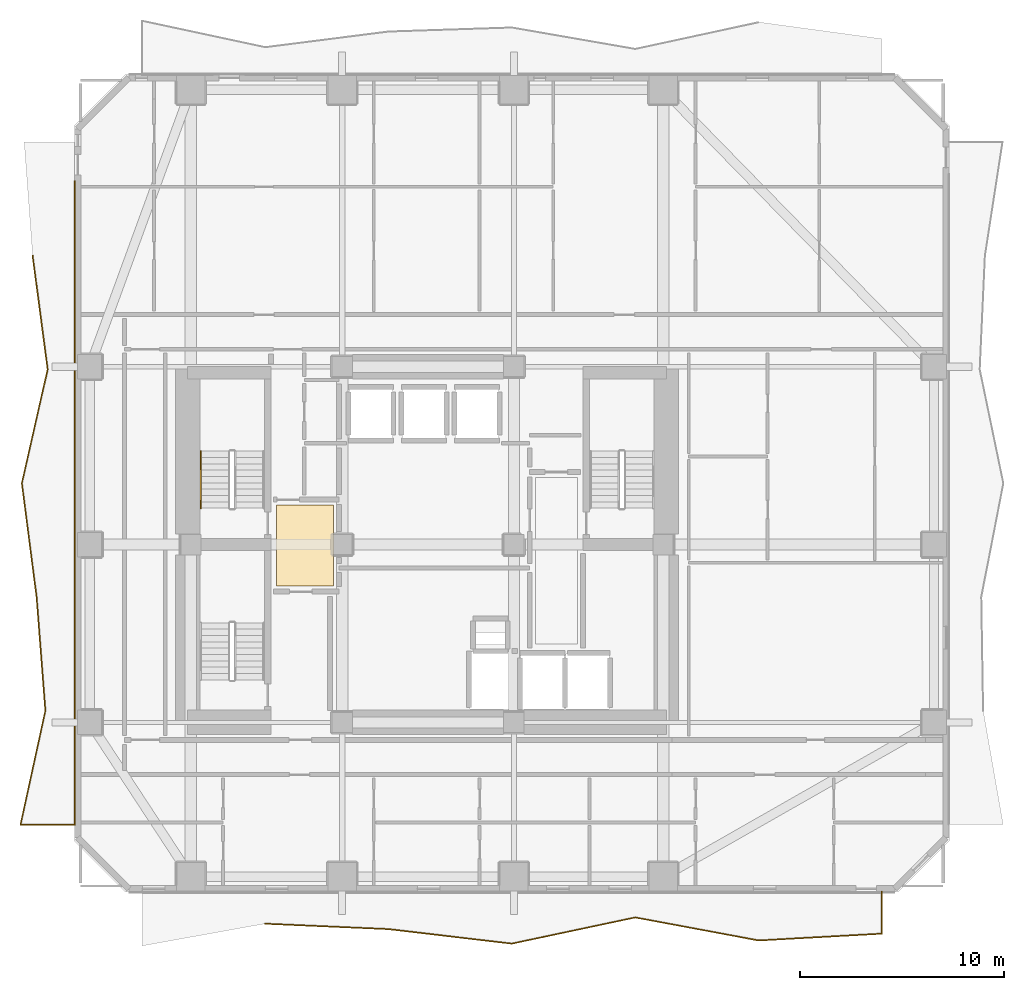
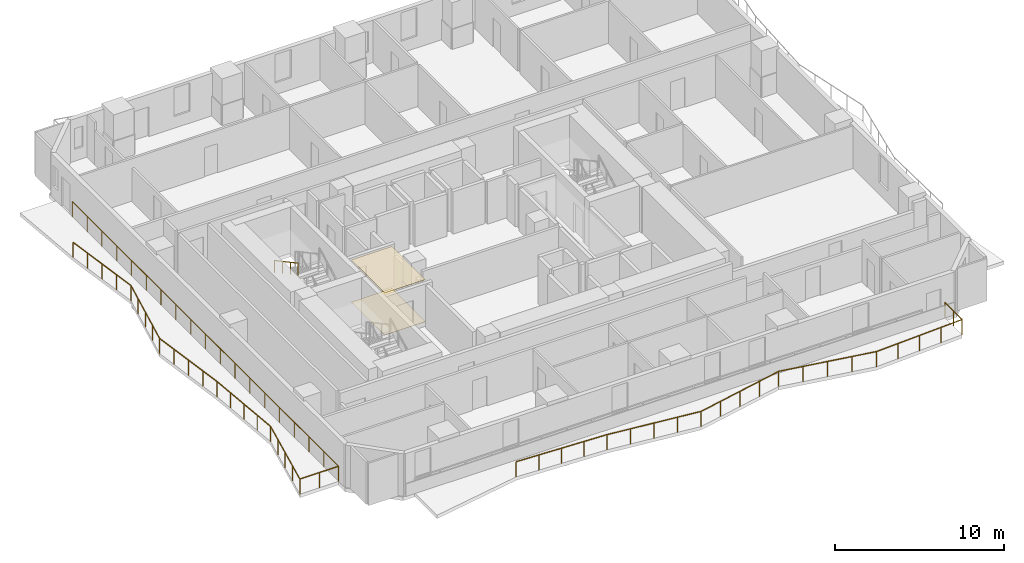
# One storey, part 9 of 11: 3 railings, 2 coverings.
"""IFC4 building model written with IfcOpenShell, lengths in metres."""

from ifc_helpers import new_model, si_unit, direction, frame, origin, origin_2d, place, context, subcontext, project, spatial, polyline, rectangle, outline, extrude, material, layer, layer_set, type_object, element, save


model = new_model("IFC4")

# Units and contexts
model_context = context("Model", 3, precision=1e-05, world=origin(), true_north=direction((0.0, 1.0)))
body_context = subcontext(model_context, "Body", "Model", "MODEL_VIEW")
ifc_project = project(units=[si_unit("LENGTHUNIT", "METRE"), si_unit("AREAUNIT", "SQUARE_METRE"), si_unit("VOLUMEUNIT", "CUBIC_METRE"), si_unit("PLANEANGLEUNIT", "RADIAN"), si_unit("MASSUNIT", "GRAM", prefix="KILO")], contexts=[model_context])

# Site, building, storey
site_placement = place(None, origin())
site = spatial("IfcSite", under=ifc_project, at=site_placement, CompositionType="ELEMENT")
building_placement = place(site_placement, origin())
building = spatial("IfcBuilding", under=site, at=building_placement, Name="Solanera Arch Residences", CompositionType="ELEMENT")
storey_placement = place(building_placement, frame((0.0, 0.0, 75.1201171875)))
storey = spatial("IfcBuildingStorey", under=building, at=storey_placement, Name="L21", CompositionType="ELEMENT", Elevation=75.1201171875)

# Railings
ifc_material_1 = material(Name="Steel S355 (ASTM A992 / A572 Grade 50)", Category="steel")
railing_type_1 = type_object("IfcRailingType", Name="Balustrade Railing BL-1100", PredefinedType="BALUSTRADE", material=ifc_material_1)
railing_1_placement = place(storey_placement, frame((17.032958984375, 12.154052734375, 0.0)))
element("IfcRailing", 1, at=railing_1_placement, inside=storey, type_object=railing_type_1, Name="L21 S Balcony Balustrade 1", PredefinedType="BALUSTRADE", context=body_context, shape_type="SweptSolid", body=[
    extrude(rectangle(XDim=0.048095703125, YDim=0.048095703125, at=origin_2d()), frame((0.0, 0.0, 1.09619140625), z_axis=(0.999035993244, -0.043898567213, 0.0), x_axis=(0.043898567213, 0.999035993244, 0.0)), (0.0, 0.0, 1.0), 6.039794921875),
    extrude(rectangle(XDim=0.048095703125, YDim=0.048095703125, at=origin_2d()), frame((6.033935546875, -0.26513671875, 1.09619140625), z_axis=(0.993165958324, -0.116710664575, 0.0), x_axis=(0.116710664575, 0.993165958324, 0.0)), (0.0, 0.0, 1.0), 6.07470703125),
    extrude(rectangle(XDim=0.048095703125, YDim=0.048095703125, at=origin_2d()), frame((12.067138671875, -0.97412109375, 1.09619140625), z_axis=(0.97819173664, 0.207703939223, 0.0), x_axis=(-0.207703939223, 0.97819173664, 0.0)), (0.0, 0.0, 1.0), 6.16748046875),
    extrude(rectangle(XDim=0.048095703125, YDim=0.048095703125, at=origin_2d()), frame((18.10009765625, 0.306884765625, 1.09619140625), z_axis=(0.983030769908, -0.183440740879, 0.0), x_axis=(0.183440740879, 0.983030769908, 0.0)), (0.0, 0.0, 1.0), 6.13818359375),
    extrude(rectangle(XDim=0.048095703125, YDim=0.048095703125, at=origin_2d()), frame((24.134033203125, -0.819091796875, 1.09619140625), z_axis=(0.998488939187, 0.054953055615, 0.0), x_axis=(-0.054953055615, 0.998488939187, 0.0)), (0.0, 0.0, 1.0), 6.0419921875),
    extrude(rectangle(XDim=0.048095703125, YDim=0.048095703125, at=origin_2d()), frame((30.1669921875, -0.487060546875, 1.09619140625), z_axis=(0.0, 1.0, 0.0), x_axis=(-1.0, 0.0, 0.0)), (0.0, 0.0, 1.0), 2.052978515625),
    extrude(rectangle(XDim=0.0419921875, YDim=0.0419921875, at=origin_2d()), origin(), (0.0, 0.0, 1.0), 1.072021484375),
    extrude(rectangle(XDim=0.0419921875, YDim=0.0419921875, at=origin_2d()), frame((1.508544921875, -0.06640625, 0.0)), (0.0, 0.0, 1.0), 1.072021484375),
    extrude(rectangle(XDim=0.0419921875, YDim=0.0419921875, at=origin_2d()), frame((3.01708984375, -0.132568359375, 0.0)), (0.0, 0.0, 1.0), 1.072021484375),
    extrude(rectangle(XDim=0.0419921875, YDim=0.0419921875, at=origin_2d()), frame((4.525390625, -0.19873046875, 0.0)), (0.0, 0.0, 1.0), 1.072021484375),
    extrude(rectangle(XDim=0.0419921875, YDim=0.0419921875, at=origin_2d()), frame((6.033935546875, -0.26513671875, 0.0)), (0.0, 0.0, 1.0), 1.072021484375),
    extrude(rectangle(XDim=0.0419921875, YDim=0.0419921875, at=origin_2d()), frame((7.542236328125, -0.4423828125, 0.0)), (0.0, 0.0, 1.0), 1.072021484375),
    extrude(rectangle(XDim=0.0419921875, YDim=0.0419921875, at=origin_2d()), frame((9.050537109375, -0.61962890625, 0.0)), (0.0, 0.0, 1.0), 1.072021484375),
    extrude(rectangle(XDim=0.0419921875, YDim=0.0419921875, at=origin_2d()), frame((10.558837890625, -0.796875, 0.0)), (0.0, 0.0, 1.0), 1.072021484375),
    extrude(rectangle(XDim=0.0419921875, YDim=0.0419921875, at=origin_2d()), frame((12.067138671875, -0.97412109375, 0.0)), (0.0, 0.0, 1.0), 1.072021484375),
    extrude(rectangle(XDim=0.0419921875, YDim=0.0419921875, at=origin_2d()), frame((13.575439453125, -0.65380859375, 0.0)), (0.0, 0.0, 1.0), 1.072021484375),
    extrude(rectangle(XDim=0.0419921875, YDim=0.0419921875, at=origin_2d()), frame((15.08349609375, -0.33349609375, 0.0)), (0.0, 0.0, 1.0), 1.072021484375),
    extrude(rectangle(XDim=0.0419921875, YDim=0.0419921875, at=origin_2d()), frame((16.591796875, -0.013427734375, 0.0)), (0.0, 0.0, 1.0), 1.072021484375),
    extrude(rectangle(XDim=0.0419921875, YDim=0.0419921875, at=origin_2d()), frame((18.10009765625, 0.306884765625, 0.0)), (0.0, 0.0, 1.0), 1.072021484375),
    extrude(rectangle(XDim=0.0419921875, YDim=0.0419921875, at=origin_2d()), frame((19.608642578125, 0.025390625, 0.0)), (0.0, 0.0, 1.0), 1.072021484375),
    extrude(rectangle(XDim=0.0419921875, YDim=0.0419921875, at=origin_2d()), frame((21.1171875, -0.256103515625, 0.0)), (0.0, 0.0, 1.0), 1.072021484375),
    extrude(rectangle(XDim=0.0419921875, YDim=0.0419921875, at=origin_2d()), frame((22.62548828125, -0.53759765625, 0.0)), (0.0, 0.0, 1.0), 1.072021484375),
    extrude(rectangle(XDim=0.0419921875, YDim=0.0419921875, at=origin_2d()), frame((24.134033203125, -0.819091796875, 0.0)), (0.0, 0.0, 1.0), 1.072021484375),
    extrude(rectangle(XDim=0.0419921875, YDim=0.0419921875, at=origin_2d()), frame((25.642333984375, -0.736083984375, 0.0)), (0.0, 0.0, 1.0), 1.072021484375),
    extrude(rectangle(XDim=0.0419921875, YDim=0.0419921875, at=origin_2d()), frame((27.150390625, -0.653076171875, 0.0)), (0.0, 0.0, 1.0), 1.072021484375),
    extrude(rectangle(XDim=0.0419921875, YDim=0.0419921875, at=origin_2d()), frame((28.65869140625, -0.570068359375, 0.0)), (0.0, 0.0, 1.0), 1.072021484375),
    extrude(rectangle(XDim=0.0419921875, YDim=0.0419921875, at=origin_2d()), frame((30.1669921875, -0.487060546875, 0.0)), (0.0, 0.0, 1.0), 1.072021484375),
    extrude(rectangle(XDim=0.0419921875, YDim=0.0419921875, at=origin_2d()), frame((30.1669921875, 0.53955078125, 0.0)), (0.0, 0.0, 1.0), 1.072021484375),
    extrude(rectangle(XDim=0.0419921875, YDim=0.0419921875, at=origin_2d()), frame((30.1669921875, 1.56591796875, 0.0)), (0.0, 0.0, 1.0), 1.072021484375),
])
railing_2_placement = place(storey_placement, frame((5.657958984375, 44.8330078125, 0.0)))
element("IfcRailing", 2, at=railing_2_placement, inside=storey, type_object=railing_type_1, Name="L21 W Balcony Balustrade 1", PredefinedType="BALUSTRADE", context=body_context, shape_type="SweptSolid", body=[
    extrude(rectangle(XDim=0.048095703125, YDim=0.048095703125, at=origin_2d()), frame((0.0, 0.0, 1.09619140625), z_axis=(0.130935949991, -0.991390829592, 0.0), x_axis=(0.991390829592, 0.130935949991, 0.0)), (0.0, 0.0, 1.0), 5.6142578125),
    extrude(rectangle(XDim=0.048095703125, YDim=0.048095703125, at=origin_2d()), frame((0.735107421875, -5.56591796875, 1.09619140625), z_axis=(-0.220909324265, -0.975294350672, 0.0), x_axis=(0.975294350672, -0.220909324265, 0.0)), (0.0, 0.0, 1.0), 5.708251953125),
    extrude(rectangle(XDim=0.048095703125, YDim=0.048095703125, at=origin_2d()), frame((-0.52587890625, -11.133056640625, 1.09619140625), z_axis=(0.128433627288, -0.991718106813, 0.0), x_axis=(0.991718106813, 0.128433627288, 0.0)), (0.0, 0.0, 1.0), 5.61328125),
    extrude(rectangle(XDim=0.048095703125, YDim=0.048095703125, at=origin_2d()), frame((0.195068359375, -16.699951171875, 1.09619140625), z_axis=(0.076663056349, -0.99705705744, 0.0), x_axis=(0.99705705744, 0.076663056349, 0.0)), (0.0, 0.0, 1.0), 5.58251953125),
    extrude(rectangle(XDim=0.048095703125, YDim=0.048095703125, at=origin_2d()), frame((0.623046875, -22.26611328125, 1.09619140625), z_axis=(-0.213249618178, -0.976997748384, 0.0), x_axis=(0.976997748384, -0.213249618178, 0.0)), (0.0, 0.0, 1.0), 5.697998046875),
    extrude(rectangle(XDim=0.048095703125, YDim=0.048095703125, at=origin_2d()), frame((-0.592041015625, -27.8330078125, 1.09619140625), z_axis=(1.0, 0.0, 0.0), x_axis=(0.0, 1.0, 0.0)), (0.0, 0.0, 1.0), 2.654052734375),
    extrude(rectangle(XDim=0.048095703125, YDim=0.048095703125, at=origin_2d()), frame((2.06201171875, -27.8330078125, 1.09619140625), z_axis=(0.0, 1.0, 0.0), x_axis=(-1.0, 0.0, 0.0)), (0.0, 0.0, 1.0), 31.48388671875),
    extrude(rectangle(XDim=0.0419921875, YDim=0.0419921875, at=origin_2d()), origin(), (0.0, 0.0, 1.0), 1.072021484375),
    extrude(rectangle(XDim=0.0419921875, YDim=0.0419921875, at=origin_2d()), frame((0.183837890625, -1.3916015625, 0.0)), (0.0, 0.0, 1.0), 1.072021484375),
    extrude(rectangle(XDim=0.0419921875, YDim=0.0419921875, at=origin_2d()), frame((0.36767578125, -2.782958984375, 0.0)), (0.0, 0.0, 1.0), 1.072021484375),
    extrude(rectangle(XDim=0.0419921875, YDim=0.0419921875, at=origin_2d()), frame((0.55126953125, -4.17431640625, 0.0)), (0.0, 0.0, 1.0), 1.072021484375),
    extrude(rectangle(XDim=0.0419921875, YDim=0.0419921875, at=origin_2d()), frame((0.735107421875, -5.56591796875, 0.0)), (0.0, 0.0, 1.0), 1.072021484375),
    extrude(rectangle(XDim=0.0419921875, YDim=0.0419921875, at=origin_2d()), frame((0.419921875, -6.957763671875, 0.0)), (0.0, 0.0, 1.0), 1.072021484375),
    extrude(rectangle(XDim=0.0419921875, YDim=0.0419921875, at=origin_2d()), frame((0.1044921875, -8.349609375, 0.0)), (0.0, 0.0, 1.0), 1.072021484375),
    extrude(rectangle(XDim=0.0419921875, YDim=0.0419921875, at=origin_2d()), frame((-0.210693359375, -9.7412109375, 0.0)), (0.0, 0.0, 1.0), 1.072021484375),
    extrude(rectangle(XDim=0.0419921875, YDim=0.0419921875, at=origin_2d()), frame((-0.52587890625, -11.133056640625, 0.0)), (0.0, 0.0, 1.0), 1.072021484375),
    extrude(rectangle(XDim=0.0419921875, YDim=0.0419921875, at=origin_2d()), frame((-0.345703125, -12.52490234375, 0.0)), (0.0, 0.0, 1.0), 1.072021484375),
    extrude(rectangle(XDim=0.0419921875, YDim=0.0419921875, at=origin_2d()), frame((-0.16552734375, -13.91650390625, 0.0)), (0.0, 0.0, 1.0), 1.072021484375),
    extrude(rectangle(XDim=0.0419921875, YDim=0.0419921875, at=origin_2d()), frame((0.014892578125, -15.30810546875, 0.0)), (0.0, 0.0, 1.0), 1.072021484375),
    extrude(rectangle(XDim=0.0419921875, YDim=0.0419921875, at=origin_2d()), frame((0.195068359375, -16.699951171875, 0.0)), (0.0, 0.0, 1.0), 1.072021484375),
    extrude(rectangle(XDim=0.0419921875, YDim=0.0419921875, at=origin_2d()), frame((0.302001953125, -18.091552734375, 0.0)), (0.0, 0.0, 1.0), 1.072021484375),
    extrude(rectangle(XDim=0.0419921875, YDim=0.0419921875, at=origin_2d()), frame((0.4091796875, -19.48291015625, 0.0)), (0.0, 0.0, 1.0), 1.072021484375),
    extrude(rectangle(XDim=0.0419921875, YDim=0.0419921875, at=origin_2d()), frame((0.51611328125, -20.87451171875, 0.0)), (0.0, 0.0, 1.0), 1.072021484375),
    extrude(rectangle(XDim=0.0419921875, YDim=0.0419921875, at=origin_2d()), frame((0.623046875, -22.26611328125, 0.0)), (0.0, 0.0, 1.0), 1.072021484375),
    extrude(rectangle(XDim=0.0419921875, YDim=0.0419921875, at=origin_2d()), frame((0.3193359375, -23.65771484375, 0.0)), (0.0, 0.0, 1.0), 1.072021484375),
    extrude(rectangle(XDim=0.0419921875, YDim=0.0419921875, at=origin_2d()), frame((0.015625, -25.049560546875, 0.0)), (0.0, 0.0, 1.0), 1.072021484375),
    extrude(rectangle(XDim=0.0419921875, YDim=0.0419921875, at=origin_2d()), frame((-0.288330078125, -26.44140625, 0.0)), (0.0, 0.0, 1.0), 1.072021484375),
    extrude(rectangle(XDim=0.0419921875, YDim=0.0419921875, at=origin_2d()), frame((-0.592041015625, -27.8330078125, 0.0)), (0.0, 0.0, 1.0), 1.072021484375),
    extrude(rectangle(XDim=0.0419921875, YDim=0.0419921875, at=origin_2d()), frame((0.73486328125, -27.8330078125, 0.0)), (0.0, 0.0, 1.0), 1.072021484375),
    extrude(rectangle(XDim=0.0419921875, YDim=0.0419921875, at=origin_2d()), frame((2.06201171875, -27.8330078125, 0.0)), (0.0, 0.0, 1.0), 1.072021484375),
    extrude(rectangle(XDim=0.0419921875, YDim=0.0419921875, at=origin_2d()), frame((2.06201171875, -26.083984375, 0.0)), (0.0, 0.0, 1.0), 1.072021484375),
    extrude(rectangle(XDim=0.0419921875, YDim=0.0419921875, at=origin_2d()), frame((2.06201171875, -24.334716796875, 0.0)), (0.0, 0.0, 1.0), 1.072021484375),
    extrude(rectangle(XDim=0.0419921875, YDim=0.0419921875, at=origin_2d()), frame((2.06201171875, -22.585693359375, 0.0)), (0.0, 0.0, 1.0), 1.072021484375),
    extrude(rectangle(XDim=0.0419921875, YDim=0.0419921875, at=origin_2d()), frame((2.06201171875, -20.836669921875, 0.0)), (0.0, 0.0, 1.0), 1.072021484375),
    extrude(rectangle(XDim=0.0419921875, YDim=0.0419921875, at=origin_2d()), frame((2.06201171875, -19.08740234375, 0.0)), (0.0, 0.0, 1.0), 1.072021484375),
    extrude(rectangle(XDim=0.0419921875, YDim=0.0419921875, at=origin_2d()), frame((2.06201171875, -17.33837890625, 0.0)), (0.0, 0.0, 1.0), 1.072021484375),
    extrude(rectangle(XDim=0.0419921875, YDim=0.0419921875, at=origin_2d()), frame((2.06201171875, -15.58935546875, 0.0)), (0.0, 0.0, 1.0), 1.072021484375),
    extrude(rectangle(XDim=0.0419921875, YDim=0.0419921875, at=origin_2d()), frame((2.06201171875, -13.840087890625, 0.0)), (0.0, 0.0, 1.0), 1.072021484375),
    extrude(rectangle(XDim=0.0419921875, YDim=0.0419921875, at=origin_2d()), frame((2.06201171875, -12.091064453125, 0.0)), (0.0, 0.0, 1.0), 1.072021484375),
    extrude(rectangle(XDim=0.0419921875, YDim=0.0419921875, at=origin_2d()), frame((2.06201171875, -10.342041015625, 0.0)), (0.0, 0.0, 1.0), 1.072021484375),
    extrude(rectangle(XDim=0.0419921875, YDim=0.0419921875, at=origin_2d()), frame((2.06201171875, -8.5927734375, 0.0)), (0.0, 0.0, 1.0), 1.072021484375),
    extrude(rectangle(XDim=0.0419921875, YDim=0.0419921875, at=origin_2d()), frame((2.06201171875, -6.84375, 0.0)), (0.0, 0.0, 1.0), 1.072021484375),
    extrude(rectangle(XDim=0.0419921875, YDim=0.0419921875, at=origin_2d()), frame((2.06201171875, -5.0947265625, 0.0)), (0.0, 0.0, 1.0), 1.072021484375),
    extrude(rectangle(XDim=0.0419921875, YDim=0.0419921875, at=origin_2d()), frame((2.06201171875, -3.345458984375, 0.0)), (0.0, 0.0, 1.0), 1.072021484375),
    extrude(rectangle(XDim=0.0419921875, YDim=0.0419921875, at=origin_2d()), frame((2.06201171875, -1.596435546875, 0.0)), (0.0, 0.0, 1.0), 1.072021484375),
    extrude(rectangle(XDim=0.0419921875, YDim=0.0419921875, at=origin_2d()), frame((2.06201171875, 0.152587890625, 0.0)), (0.0, 0.0, 1.0), 1.072021484375),
    extrude(rectangle(XDim=0.0419921875, YDim=0.0419921875, at=origin_2d()), frame((2.06201171875, 1.90185546875, 0.0)), (0.0, 0.0, 1.0), 1.072021484375),
    extrude(rectangle(XDim=0.0419921875, YDim=0.0419921875, at=origin_2d()), frame((2.06201171875, 3.65087890625, 0.0)), (0.0, 0.0, 1.0), 1.072021484375),
])

# Covering
ifc_material_2 = material(Name="Porcelain Acoustic Floor Tile", Category="ceramic")
ifc_layer_1 = layer(ifc_material_2, 0.02001953125)
ifc_layer_set_1 = layer_set([ifc_layer_1], Name="Porcelain Acoustic Floor Tile")
covering_type_1 = type_object("IfcCoveringType", Name="Porcelain Acoustic Floor Finish FLR-20", PredefinedType="FLOORING", material=ifc_layer_set_1)
covering_1_placement = place(storey_placement, origin())
element("IfcCovering", 3, at=covering_1_placement, inside=storey, type_object=covering_type_1, Name="L21-FFL-W Porcelain Floor Finish", PredefinedType="FLOORING", context=body_context, shape_type="SweptSolid", body=[
    extrude(outline(polyline([(20.375, 28.675048828125), (17.594970703125, 28.675048828125), (17.594970703125, 32.625), (20.375, 32.625), (20.375, 28.675048828125)])), origin(), (0.0, 0.0, 1.0), 0.019775390625),
])

# Railing
ifc_material_3 = material(Name="Steel S355 (ASTM A992 / A572 Grade 50)", Category="steel")
railing_type_2 = type_object("IfcRailingType", Name="Stair Wall Handrail HR-920", PredefinedType="HANDRAIL", material=ifc_material_3)
railing_3_placement = place(storey_placement, frame((13.889892578125, 35.27001953125, 1.825927734375)))
element("IfcRailing", 4, at=railing_3_placement, inside=storey, type_object=railing_type_2, Name="L21 ST-T1 stair handrail 2", PredefinedType="HANDRAIL", context=body_context, shape_type="SweptSolid", body=[
    extrude(rectangle(XDim=0.048095703125, YDim=0.048095703125, at=origin_2d()), frame((0.0, 0.0, 0.8759765625), z_axis=(0.0, -0.881580869306, 0.472033018838), x_axis=(1.0, 0.0, 0.0)), (0.0, 0.0, 1.0), 3.164794921875),
    extrude(rectangle(XDim=0.0419921875, YDim=0.0419921875, at=origin_2d()), origin(), (0.0, 0.0, 1.0), 0.851806640625),
    extrude(rectangle(XDim=0.0419921875, YDim=0.0419921875, at=origin_2d()), frame((0.0, -0.929931640625, 0.498046875)), (0.0, 0.0, 1.0), 0.851806640625),
    extrude(rectangle(XDim=0.0419921875, YDim=0.0419921875, at=origin_2d()), frame((0.0, -1.860107421875, 0.995849609375)), (0.0, 0.0, 1.0), 0.851806640625),
    extrude(rectangle(XDim=0.0419921875, YDim=0.0419921875, at=origin_2d()), frame((0.0, -2.7900390625, 1.493896484375)), (0.0, 0.0, 1.0), 0.851806640625),
])

# Covering
ifc_material_4 = material(Name="Mineral Fibre Acoustic Ceiling Board", Category="gypsum")
ifc_layer_2 = layer(ifc_material_4, 0.02490234375)
ifc_layer_set_2 = layer_set([ifc_layer_2], Name="Mineral Fibre Acoustic Ceiling Board")
covering_type_2 = type_object("IfcCoveringType", Name="Suspended Acoustic Ceiling Board CLG-25", PredefinedType="CEILING", material=ifc_layer_set_2)
covering_2_placement = place(storey_placement, frame((0.0, 0.0, 3.034912109375)))
element("IfcCovering", 5, at=covering_2_placement, inside=storey, type_object=covering_type_2, Name="L21-FFL-W Acoustic Ceiling", PredefinedType="CEILING", context=body_context, shape_type="SweptSolid", body=[
    extrude(outline(polyline([(20.375, 28.675048828125), (17.594970703125, 28.675048828125), (17.594970703125, 32.625), (20.375, 32.625), (20.375, 28.675048828125)])), origin(), (0.0, 0.0, 1.0), 0.02490234375),
])

save(model, "model.ifc")
